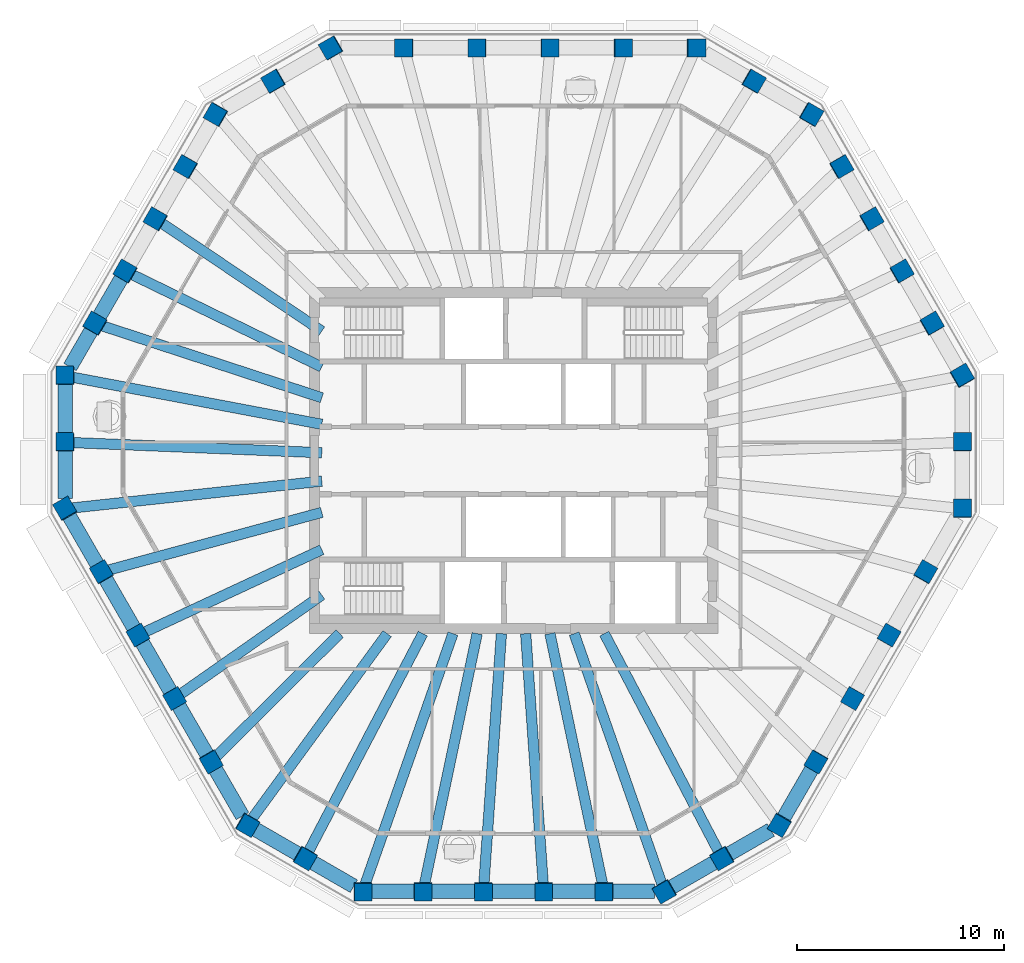
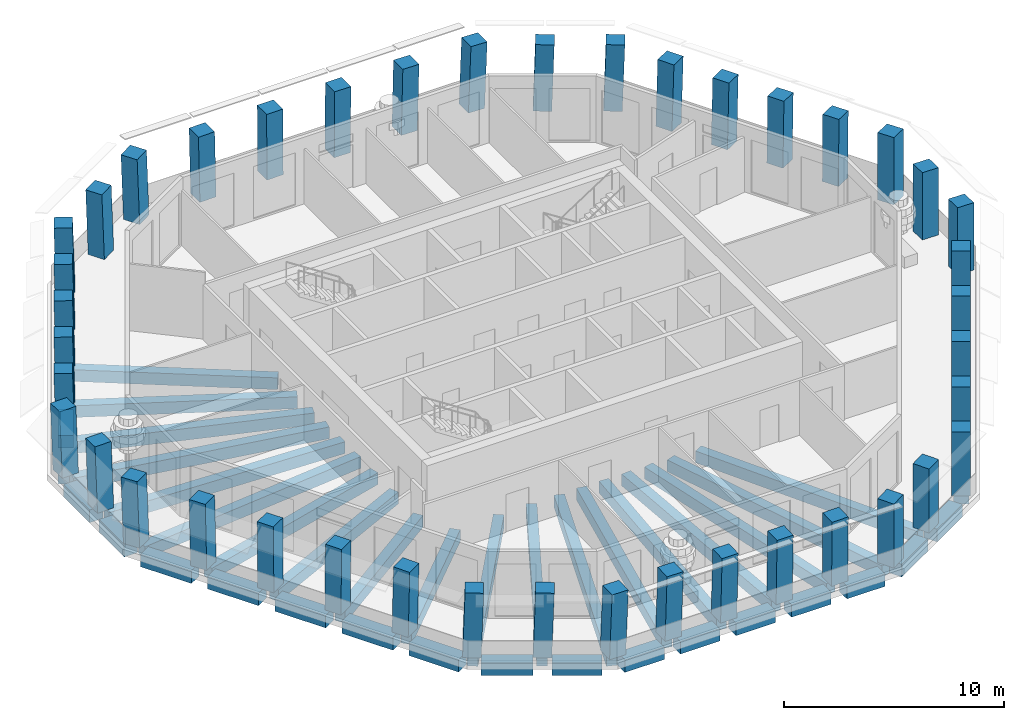
# One storey, part 1 of 11: 42 columns, 38 beams.
"""IFC4 building model written with IfcOpenShell, lengths in metres."""

from ifc_helpers import new_model, si_unit, direction, frame, origin, origin_2d, place, context, subcontext, project, spatial, rectangle, extrude, material, material_profile, profile_set, type_object, element, save


model = new_model("IFC4")

# Units and contexts
model_context = context("Model", 3, precision=1e-05, world=origin(), true_north=direction((0.0, 1.0)))
body_context = subcontext(model_context, "Body", "Model", "MODEL_VIEW")
ifc_project = project(units=[si_unit("LENGTHUNIT", "METRE"), si_unit("AREAUNIT", "SQUARE_METRE"), si_unit("VOLUMEUNIT", "CUBIC_METRE"), si_unit("PLANEANGLEUNIT", "RADIAN"), si_unit("MASSUNIT", "GRAM", prefix="KILO")], contexts=[model_context])

# Site, building, storey
site_placement = place(None, origin())
site = spatial("IfcSite", under=ifc_project, at=site_placement, CompositionType="ELEMENT")
building_placement = place(site_placement, origin())
building = spatial("IfcBuilding", under=site, at=building_placement, Name="Frailejon Research Tower", CompositionType="ELEMENT")
storey_placement = place(building_placement, frame((0.0, 0.0, 336.60009765625)))
storey = spatial("IfcBuildingStorey", under=building, at=storey_placement, Name="L75", CompositionType="ELEMENT", Elevation=336.60009765625)

# Columns
ifc_material_1 = material(Name="Concrete C50/60", Category="concrete")
ifc_material_profile_1 = material_profile(ifc_material_1, rectangle(XDim=0.85009765625, YDim=0.85009765625, at=origin_2d()), Name="Column 850")
ifc_profile_set_1 = profile_set([ifc_material_profile_1], Name="Concrete C50/60")
column_type = type_object("IfcColumnType", Name="Column 850", PredefinedType="COLUMN", material=ifc_profile_set_1)
for number, where, z_axis, x_axis, name in (
    (1, (21.635498046875, -2.326171875, 0.0), (0.018164955404, 0.03143676784, 0.99934066465), (-0.000376312415, 0.999505723656, -0.031435119977), "Column C01"),
    (2, (21.635498046875, 0.8798828125, 0.0), (0.018164955404, 0.03143676784, 0.99934066465), (-0.000376312415, 0.999505723656, -0.031435119977), "Column C02"),
    (3, (21.635498046875, 4.0859375, 0.0), (0.018164955404, 0.03143676784, 0.99934066465), (-0.500243362495, 0.865694824541, -0.018139708999), "Column C03"),
):
    element("IfcColumn", number, at=place(storey_placement, frame(where, z_axis=z_axis, x_axis=x_axis)), inside=storey, type_object=column_type, Name=name, PredefinedType="COLUMN", context=body_context, shape_type="SweptSolid", body=[
        extrude(rectangle(XDim=0.85009765625, YDim=0.85009765625, at=origin_2d()), origin(), (0.0, 0.0, 1.0), 3.642333984375),
    ])
column_1_placement = place(storey_placement, frame((20.1796875, 6.607666015625, 0.0), z_axis=(0.021786848517, 0.025138671366, 0.999446537056), x_axis=(-0.499840745781, 0.866048897927, -0.010887389788)))
element("IfcColumn", 4, at=column_1_placement, inside=storey, type_object=column_type, Name="Column C04", PredefinedType="COLUMN", context=body_context, shape_type="SweptSolid", body=[
    extrude(rectangle(XDim=0.85009765625, YDim=0.85009765625, at=origin_2d()), origin(), (0.0, 0.0, 1.0), 3.641845703125),
])
for number, where, z_axis, x_axis, name in (
    (5, (18.723876953125, 9.129150390625, 0.0), (0.025408167311, 0.018838245421, 0.999499647595), (-0.499703712508, 0.866188822081, -0.003622734722), "Column C05"),
    (6, (17.26806640625, 11.65087890625, 0.0), (0.029028337746, 0.012536487664, 0.999499971028), (-0.499792797654, 0.86613730135, 0.003651660476), "Column C06"),
):
    element("IfcColumn", number, at=place(storey_placement, frame(where, z_axis=z_axis, x_axis=x_axis)), inside=storey, type_object=column_type, Name=name, PredefinedType="COLUMN", context=body_context, shape_type="SweptSolid", body=[
        extrude(rectangle(XDim=0.85009765625, YDim=0.85009765625, at=origin_2d()), origin(), (0.0, 0.0, 1.0), 3.6416015625),
    ])
column_2_placement = place(storey_placement, frame((15.812255859375, 14.17236328125, 0.0), z_axis=(0.032579807254, 0.006301444201, 0.99944927233), x_axis=(-0.500059594281, 0.865923131391, 0.010841249478)))
element("IfcColumn", 7, at=column_2_placement, inside=storey, type_object=column_type, Name="Column C07", PredefinedType="COLUMN", context=body_context, shape_type="SweptSolid", body=[
    extrude(rectangle(XDim=0.85009765625, YDim=0.85009765625, at=origin_2d()), origin(), (0.0, 0.0, 1.0), 3.641845703125),
])
for number, where, z_axis, x_axis, name in (
    (8, (14.3564453125, 16.69384765625, 0.0), (0.036195998623, 0.0, 0.999344710139), (-0.865315719975, 0.500246354177, 0.031341504379), "Column C08"),
    (9, (11.579833984375, 18.297119140625, 0.0), (0.036262940188, 0.0, 0.999342283289), (-0.865313618606, 0.500246354177, 0.03139946795), "Column C09"),
    (10, (8.80322265625, 19.89990234375, 0.0), (0.036262940188, 0.0, 0.999342283289), (-0.999342283289, 0.0, 0.036262940188), "Column C10"),
):
    element("IfcColumn", number, at=place(storey_placement, frame(where, z_axis=z_axis, x_axis=x_axis)), inside=storey, type_object=column_type, Name=name, PredefinedType="COLUMN", context=body_context, shape_type="SweptSolid", body=[
        extrude(rectangle(XDim=0.85009765625, YDim=0.85009765625, at=origin_2d()), origin(), (0.0, 0.0, 1.0), 3.642333984375),
    ])
column_3_placement = place(storey_placement, frame((5.281982421875, 19.89990234375, 0.0), z_axis=(0.021793735912, 0.0, 0.999762488332), x_axis=(-0.999762488332, 0.0, 0.021793735912)))
element("IfcColumn", 11, at=column_3_placement, inside=storey, type_object=column_type, Name="Column C11", PredefinedType="COLUMN", context=body_context, shape_type="SweptSolid", body=[
    extrude(rectangle(XDim=0.85009765625, YDim=0.85009765625, at=origin_2d()), origin(), (0.0, 0.0, 1.0), 3.640869140625),
])
for number, where, z_axis, x_axis, name in (
    (12, (1.7607421875, 19.89990234375, 0.0), (0.007223891772, 0.0, 0.999973907353), (-0.999973907353, 0.0, 0.007223891772), "Column C12"),
    (13, (-1.7607421875, 19.89990234375, 0.0), (-0.007223891772, 0.0, 0.999973907353), (-0.999973907353, 0.0, -0.007223891772), "Column C13"),
):
    element("IfcColumn", number, at=place(storey_placement, frame(where, z_axis=z_axis, x_axis=x_axis)), inside=storey, type_object=column_type, Name=name, PredefinedType="COLUMN", context=body_context, shape_type="SweptSolid", body=[
        extrude(rectangle(XDim=0.85009765625, YDim=0.85009765625, at=origin_2d()), origin(), (0.0, 0.0, 1.0), 3.64990234375),
    ])
column_4_placement = place(storey_placement, frame((-5.281982421875, 19.89990234375, 0.0), z_axis=(-0.021793735912, 0.0, 0.999762488332), x_axis=(-0.999762488332, 0.0, -0.021793735912)))
element("IfcColumn", 14, at=column_4_placement, inside=storey, type_object=column_type, Name="Column C14", PredefinedType="COLUMN", context=body_context, shape_type="SweptSolid", body=[
    extrude(rectangle(XDim=0.85009765625, YDim=0.85009765625, at=origin_2d()), origin(), (0.0, 0.0, 1.0), 3.640869140625),
])
for number, where, z_axis, x_axis, name in (
    (15, (-8.80322265625, 19.89990234375, 0.0), (-0.036262940188, 0.0, 0.999342283289), (-0.865313618606, -0.500246354177, -0.03139946795), "Column C15"),
    (16, (-11.579833984375, 18.297119140625, 0.0), (-0.036262940188, 0.0, 0.999342283289), (-0.865313618606, -0.500246354177, -0.03139946795), "Column C16"),
    (17, (-14.3564453125, 16.69384765625, 0.0), (-0.036195998623, 0.0, 0.999344710139), (-0.499426121886, -0.866167613071, -0.018089080811), "Column C17"),
):
    element("IfcColumn", number, at=place(storey_placement, frame(where, z_axis=z_axis, x_axis=x_axis)), inside=storey, type_object=column_type, Name=name, PredefinedType="COLUMN", context=body_context, shape_type="SweptSolid", body=[
        extrude(rectangle(XDim=0.85009765625, YDim=0.85009765625, at=origin_2d()), origin(), (0.0, 0.0, 1.0), 3.642333984375),
    ])
column_5_placement = place(storey_placement, frame((-15.812255859375, 14.17236328125, 0.0), z_axis=(-0.032579807254, 0.006301444201, 0.99944927233), x_axis=(-0.500059594281, -0.865923131391, -0.010841249478)))
element("IfcColumn", 18, at=column_5_placement, inside=storey, type_object=column_type, Name="Column C18", PredefinedType="COLUMN", context=body_context, shape_type="SweptSolid", body=[
    extrude(rectangle(XDim=0.85009765625, YDim=0.85009765625, at=origin_2d()), origin(), (0.0, 0.0, 1.0), 3.641845703125),
])
for number, where, z_axis, x_axis, name in (
    (19, (-17.26806640625, 11.65087890625, 0.0), (-0.029028337746, 0.012536487664, 0.999499971028), (-0.499792797654, -0.86613730135, -0.003651660476), "Column C19"),
    (20, (-18.723876953125, 9.129150390625, 0.0), (-0.025408167311, 0.018838245421, 0.999499647595), (-0.499703712508, -0.866188822081, 0.003622734722), "Column C20"),
):
    element("IfcColumn", number, at=place(storey_placement, frame(where, z_axis=z_axis, x_axis=x_axis)), inside=storey, type_object=column_type, Name=name, PredefinedType="COLUMN", context=body_context, shape_type="SweptSolid", body=[
        extrude(rectangle(XDim=0.85009765625, YDim=0.85009765625, at=origin_2d()), origin(), (0.0, 0.0, 1.0), 3.6416015625),
    ])
column_6_placement = place(storey_placement, frame((-20.1796875, 6.607666015625, 0.0), z_axis=(-0.021786848517, 0.025138671366, 0.999446537056), x_axis=(-0.499840745781, -0.866048897927, 0.010887389788)))
element("IfcColumn", 21, at=column_6_placement, inside=storey, type_object=column_type, Name="Column C21", PredefinedType="COLUMN", context=body_context, shape_type="SweptSolid", body=[
    extrude(rectangle(XDim=0.85009765625, YDim=0.85009765625, at=origin_2d()), origin(), (0.0, 0.0, 1.0), 3.641845703125),
])
for number, where, z_axis, x_axis, name in (
    (22, (-21.635498046875, 4.0859375, 0.0), (-0.018164955404, 0.03143676784, 0.99934066465), (-0.000376312415, -0.999505723656, 0.031435119977), "Column C22"),
    (23, (-21.635498046875, 0.8798828125, 0.0), (-0.018164955404, 0.03143676784, 0.99934066465), (-0.000376312415, -0.999505723656, 0.031435119977), "Column C23"),
    (24, (-21.635498046875, -2.326171875, 0.0), (-0.018164955404, 0.03143676784, 0.99934066465), (0.499837937326, -0.865357614208, 0.036307519088), "Column C24"),
):
    element("IfcColumn", number, at=place(storey_placement, frame(where, z_axis=z_axis, x_axis=x_axis)), inside=storey, type_object=column_type, Name=name, PredefinedType="COLUMN", context=body_context, shape_type="SweptSolid", body=[
        extrude(rectangle(XDim=0.85009765625, YDim=0.85009765625, at=origin_2d()), origin(), (0.0, 0.0, 1.0), 3.642333984375),
    ])
column_7_placement = place(storey_placement, frame((-19.875, -5.375732421875, 0.0), z_axis=(-0.01086334939, 0.018843217151, 0.999763432422), x_axis=(0.499615563935, -0.865974138834, 0.021750382613)))
element("IfcColumn", 25, at=column_7_placement, inside=storey, type_object=column_type, Name="Column C25", PredefinedType="COLUMN", context=body_context, shape_type="SweptSolid", body=[
    extrude(rectangle(XDim=0.85009765625, YDim=0.85009765625, at=origin_2d()), origin(), (0.0, 0.0, 1.0), 3.640869140625),
])
for number, where, z_axis, x_axis, name in (
    (26, (-18.1142578125, -8.42529296875, 0.0), (-0.003611945175, 0.00628746012, 0.999973710503), (0.497890394796, -0.867209649664, 0.007251089524), "Column C26"),
    (27, (-16.353515625, -11.474853515625, 0.0), (0.003611945175, -0.00628746012, 0.999973710503), (0.497890394796, -0.867209649664, -0.007251089524), "Column C27"),
):
    element("IfcColumn", number, at=place(storey_placement, frame(where, z_axis=z_axis, x_axis=x_axis)), inside=storey, type_object=column_type, Name=name, PredefinedType="COLUMN", context=body_context, shape_type="SweptSolid", body=[
        extrude(rectangle(XDim=0.85009765625, YDim=0.85009765625, at=origin_2d()), origin(), (0.0, 0.0, 1.0), 3.64990234375),
    ])
column_8_placement = place(storey_placement, frame((-14.593017578125, -14.5244140625, 0.0), z_axis=(0.010930399115, -0.018843203382, 0.999762701876), x_axis=(0.501922852191, -0.864638022851, -0.021783936503)))
element("IfcColumn", 28, at=column_8_placement, inside=storey, type_object=column_type, Name="Column C28", PredefinedType="COLUMN", context=body_context, shape_type="SweptSolid", body=[
    extrude(rectangle(XDim=0.85009765625, YDim=0.85009765625, at=origin_2d()), origin(), (0.0, 0.0, 1.0), 3.640869140625),
])
for number, where, z_axis, x_axis, name in (
    (29, (-12.832275390625, -17.573974609375, 0.0), (0.01816499364, -0.031369804516, 0.999342768209), (0.86644191756, -0.498290097032, -0.031390805894), "Column C29"),
    (30, (-10.0556640625, -19.177001953125, 0.0), (0.018097986139, -0.031369842641, 0.999343982756), (0.865941730235, -0.499161332485, -0.031350980667), "Column C30"),
    (31, (-7.279296875, -20.77978515625, 0.0), (0.018164955404, -0.03143676784, 0.99934066465), (0.999834984703, 0.000765393762, -0.018149863249), "Column C31"),
):
    element("IfcColumn", number, at=place(storey_placement, frame(where, z_axis=z_axis, x_axis=x_axis)), inside=storey, type_object=column_type, Name=name, PredefinedType="COLUMN", context=body_context, shape_type="SweptSolid", body=[
        extrude(rectangle(XDim=0.85009765625, YDim=0.85009765625, at=origin_2d()), origin(), (0.0, 0.0, 1.0), 3.642333984375),
    ])
column_9_placement = place(storey_placement, frame((-4.367431640625, -20.77978515625, 0.0), z_axis=(0.010859907128, -0.031440101501, 0.999446638113), x_axis=(0.999940862965, -0.000235344441, -0.010872680686)))
element("IfcColumn", 32, at=column_9_placement, inside=storey, type_object=column_type, Name="Column C32", PredefinedType="COLUMN", context=body_context, shape_type="SweptSolid", body=[
    extrude(rectangle(XDim=0.85009765625, YDim=0.85009765625, at=origin_2d()), origin(), (0.0, 0.0, 1.0), 3.641845703125),
])
for number, where, z_axis, x_axis, name in (
    (33, (-1.455810546875, -20.77978515625, 0.0), (0.003620158804, -0.031441749617, 0.99949902993), (0.999993424429, -9.9492807e-05, -0.003625079284), "Column C33"),
    (34, (1.455810546875, -20.77978515625, 0.0), (-0.003620158804, -0.031441749617, 0.99949902993), (0.999993424429, 9.9492807e-05, 0.003625079284), "Column C34"),
):
    element("IfcColumn", number, at=place(storey_placement, frame(where, z_axis=z_axis, x_axis=x_axis)), inside=storey, type_object=column_type, Name=name, PredefinedType="COLUMN", context=body_context, shape_type="SweptSolid", body=[
        extrude(rectangle(XDim=0.85009765625, YDim=0.85009765625, at=origin_2d()), origin(), (0.0, 0.0, 1.0), 3.6416015625),
    ])
column_10_placement = place(storey_placement, frame((4.367431640625, -20.77978515625, 0.0), z_axis=(-0.010859907128, -0.031440101501, 0.999446638113), x_axis=(0.999940862965, 0.000235344441, 0.010872680686)))
element("IfcColumn", 35, at=column_10_placement, inside=storey, type_object=column_type, Name="Column C35", PredefinedType="COLUMN", context=body_context, shape_type="SweptSolid", body=[
    extrude(rectangle(XDim=0.85009765625, YDim=0.85009765625, at=origin_2d()), origin(), (0.0, 0.0, 1.0), 3.641845703125),
])
for number, where, z_axis, x_axis, name in (
    (36, (7.279296875, -20.77978515625, 0.0), (-0.018164955404, -0.03143676784, 0.99934066465), (0.865979654382, 0.499089874364, 0.031440984467), "Column C36"),
    (37, (10.0556640625, -19.177001953125, 0.0), (-0.018097986139, -0.031369842641, 0.999343982756), (0.865941730235, 0.499161332485, 0.031350980667), "Column C37"),
    (38, (12.832275390625, -17.573974609375, 0.0), (-0.01816499364, -0.031369804516, 0.999342768209), (0.500639342223, 0.864896651297, 0.036249573717), "Column C38"),
):
    element("IfcColumn", number, at=place(storey_placement, frame(where, z_axis=z_axis, x_axis=x_axis)), inside=storey, type_object=column_type, Name=name, PredefinedType="COLUMN", context=body_context, shape_type="SweptSolid", body=[
        extrude(rectangle(XDim=0.85009765625, YDim=0.85009765625, at=origin_2d()), origin(), (0.0, 0.0, 1.0), 3.642333984375),
    ])
column_11_placement = place(storey_placement, frame((14.593017578125, -14.5244140625, 0.0), z_axis=(-0.010930399115, -0.018843203382, 0.999762701876), x_axis=(0.501922852191, 0.864638022851, 0.021783936503)))
element("IfcColumn", 39, at=column_11_placement, inside=storey, type_object=column_type, Name="Column C39", PredefinedType="COLUMN", context=body_context, shape_type="SweptSolid", body=[
    extrude(rectangle(XDim=0.85009765625, YDim=0.85009765625, at=origin_2d()), origin(), (0.0, 0.0, 1.0), 3.640869140625),
])
for number, where, z_axis, x_axis, name in (
    (40, (16.353515625, -11.474853515625, 0.0), (-0.003611945175, -0.00628746012, 0.999973710503), (0.497890394796, 0.867209649664, 0.007251089524), "Column C40"),
    (41, (18.1142578125, -8.42529296875, 0.0), (0.003611945175, 0.00628746012, 0.999973710503), (0.497890394796, 0.867209649664, -0.007251089524), "Column C41"),
):
    element("IfcColumn", number, at=place(storey_placement, frame(where, z_axis=z_axis, x_axis=x_axis)), inside=storey, type_object=column_type, Name=name, PredefinedType="COLUMN", context=body_context, shape_type="SweptSolid", body=[
        extrude(rectangle(XDim=0.85009765625, YDim=0.85009765625, at=origin_2d()), origin(), (0.0, 0.0, 1.0), 3.64990234375),
    ])
column_12_placement = place(storey_placement, frame((19.875, -5.375732421875, 0.0), z_axis=(0.01086334939, 0.018843217151, 0.999763432422), x_axis=(0.499615563935, 0.865974138834, -0.021750382613)))
element("IfcColumn", 42, at=column_12_placement, inside=storey, type_object=column_type, Name="Column C42", PredefinedType="COLUMN", context=body_context, shape_type="SweptSolid", body=[
    extrude(rectangle(XDim=0.85009765625, YDim=0.85009765625, at=origin_2d()), origin(), (0.0, 0.0, 1.0), 3.640869140625),
])

# Beams
ifc_material_2 = material(Name="Concrete C60/75", Category="concrete")
ifc_material_profile_2 = material_profile(ifc_material_2, rectangle(XDim=0.5, YDim=0.64990234375, at=origin_2d()), Name="Girder 500x650")
ifc_profile_set_2 = profile_set([ifc_material_profile_2], Name="Concrete C60/75")
beam_type_1 = type_object("IfcBeamType", Name="Girder 500x650", PredefinedType="BEAM", material=ifc_profile_set_2)
beam_1_placement = place(storey_placement, frame((-17.039306640625, 11.496337890625, -0.625), z_axis=(0.828967634301, -0.559296577212, 0.0), x_axis=(0.559296577212, 0.828967634301, 0.0)))
element("IfcBeam", 43, at=beam_1_placement, inside=storey, type_object=beam_type_1, Name="Girder 500x650", PredefinedType="BEAM", context=body_context, shape_type="SweptSolid", body=[
    extrude(rectangle(XDim=0.5, YDim=0.64990234375, at=origin_2d()), origin(), (0.0, 0.0, 1.0), 9.396484375),
])
beam_2_placement = place(storey_placement, frame((-18.475830078125, 9.00830078125, -0.625), z_axis=(0.898849583865, -0.438257259592, 0.0), x_axis=(0.438257259592, 0.898849583865, 0.0)))
element("IfcBeam", 44, at=beam_2_placement, inside=storey, type_object=beam_type_1, Name="Girder 500x650", PredefinedType="BEAM", context=body_context, shape_type="SweptSolid", body=[
    extrude(rectangle(XDim=0.5, YDim=0.64990234375, at=origin_2d()), origin(), (0.0, 0.0, 1.0), 10.26416015625),
])
beam_3_placement = place(storey_placement, frame((-19.909423828125, 6.51904296875, -0.625), z_axis=(0.950352429093, -0.311175610415, 0.0), x_axis=(0.311175610415, 0.950352429093, 0.0)))
element("IfcBeam", 45, at=beam_3_placement, inside=storey, type_object=beam_type_1, Name="Girder 500x650", PredefinedType="BEAM", context=body_context, shape_type="SweptSolid", body=[
    extrude(rectangle(XDim=0.5, YDim=0.64990234375, at=origin_2d()), origin(), (0.0, 0.0, 1.0), 11.21630859375),
])
beam_4_placement = place(storey_placement, frame((-21.35791015625, 4.03369140625, -0.625), z_axis=(0.982626831834, -0.185592320317, 0.0), x_axis=(0.185592320317, 0.982626831834, 0.0)))
element("IfcBeam", 46, at=beam_4_placement, inside=storey, type_object=beam_type_1, Name="Girder 500x650", PredefinedType="BEAM", context=body_context, shape_type="SweptSolid", body=[
    extrude(rectangle(XDim=0.5, YDim=0.64990234375, at=origin_2d()), origin(), (0.0, 0.0, 1.0), 12.322021484375),
])
beam_5_placement = place(storey_placement, frame((-21.3603515625, 0.86865234375, -0.625), z_axis=(0.999174322855, -0.040628469664, 0.0), x_axis=(0.040628469664, 0.999174322855, 0.0)))
element("IfcBeam", 47, at=beam_5_placement, inside=storey, type_object=beam_type_1, Name="Girder 500x650", PredefinedType="BEAM", context=body_context, shape_type="SweptSolid", body=[
    extrude(rectangle(XDim=0.5, YDim=0.64990234375, at=origin_2d()), origin(), (0.0, 0.0, 1.0), 12.120361328125),
])
beam_6_placement = place(storey_placement, frame((-21.322509765625, -2.29248046875, -0.625), z_axis=(0.994268843724, 0.106908682523, 0.0), x_axis=(-0.106908682523, 0.994268843724, 0.0)))
element("IfcBeam", 48, at=beam_6_placement, inside=storey, type_object=beam_type_1, Name="Girder 500x650", PredefinedType="BEAM", context=body_context, shape_type="SweptSolid", body=[
    extrude(rectangle(XDim=0.5, YDim=0.64990234375, at=origin_2d()), origin(), (0.0, 0.0, 1.0), 12.14208984375),
])
beam_7_placement = place(storey_placement, frame((-19.59521484375, -5.300048828125, -0.625), z_axis=(0.965314216478, 0.261090910347, 0.0), x_axis=(-0.261090910347, 0.965314216478, 0.0)))
element("IfcBeam", 49, at=beam_7_placement, inside=storey, type_object=beam_type_1, Name="Girder 500x650", PredefinedType="BEAM", context=body_context, shape_type="SweptSolid", body=[
    extrude(rectangle(XDim=0.5, YDim=0.64990234375, at=origin_2d()), origin(), (0.0, 0.0, 1.0), 10.717041015625),
])
beam_8_placement = place(storey_placement, frame((-17.86328125, -8.30859375, -0.625), z_axis=(0.90671425525, 0.421745491175, 0.0), x_axis=(-0.421745491175, 0.90671425525, 0.0)))
element("IfcBeam", 50, at=beam_8_placement, inside=storey, type_object=beam_type_1, Name="Girder 500x650", PredefinedType="BEAM", context=body_context, shape_type="SweptSolid", body=[
    extrude(rectangle(XDim=0.5, YDim=0.64990234375, at=origin_2d()), origin(), (0.0, 0.0, 1.0), 9.49951171875),
])
beam_9_placement = place(storey_placement, frame((-16.127197265625, -11.31591796875, -0.625), z_axis=(0.8185938474, 0.574372799668, 0.0), x_axis=(-0.574372799668, 0.8185938474, 0.0)))
element("IfcBeam", 51, at=beam_9_placement, inside=storey, type_object=beam_type_1, Name="Girder 500x650", PredefinedType="BEAM", context=body_context, shape_type="SweptSolid", body=[
    extrude(rectangle(XDim=0.5, YDim=0.64990234375, at=origin_2d()), origin(), (0.0, 0.0, 1.0), 8.401123046875),
])
beam_10_placement = place(storey_placement, frame((-14.3876953125, -14.31982421875, -0.625), z_axis=(0.70879243691, 0.705417097453, 0.0), x_axis=(-0.705417097453, 0.70879243691, 0.0)))
element("IfcBeam", 52, at=beam_10_placement, inside=storey, type_object=beam_type_1, Name="Girder 500x650", PredefinedType="BEAM", context=body_context, shape_type="SweptSolid", body=[
    extrude(rectangle(XDim=0.5, YDim=0.64990234375, at=origin_2d()), origin(), (0.0, 0.0, 1.0), 8.462646484375),
])
beam_11_placement = place(storey_placement, frame((-12.668701171875, -17.349853515625, -0.625), z_axis=(0.589711687135, 0.807613847118, 0.0), x_axis=(-0.807613847118, 0.589711687135, 0.0)))
element("IfcBeam", 53, at=beam_11_placement, inside=storey, type_object=beam_type_1, Name="Girder 500x650", PredefinedType="BEAM", context=body_context, shape_type="SweptSolid", body=[
    extrude(rectangle(XDim=0.5, YDim=0.64990234375, at=origin_2d()), origin(), (0.0, 0.0, 1.0), 11.1435546875),
])
beam_12_placement = place(storey_placement, frame((-9.927734375, -18.93310546875, -0.625), z_axis=(0.464390190776, 0.885630707864, 0.0), x_axis=(-0.885630707864, 0.464390190776, 0.0)))
element("IfcBeam", 54, at=beam_12_placement, inside=storey, type_object=beam_type_1, Name="Girder 500x650", PredefinedType="BEAM", context=body_context, shape_type="SweptSolid", body=[
    extrude(rectangle(XDim=0.5, YDim=0.64990234375, at=origin_2d()), origin(), (0.0, 0.0, 1.0), 11.94970703125),
])
beam_13_placement = place(storey_placement, frame((-7.179931640625, -20.49658203125, -0.625), z_axis=(0.3306005233, 0.943770784669, 0.0), x_axis=(-0.943770784669, 0.3306005233, 0.0)))
element("IfcBeam", 55, at=beam_13_placement, inside=storey, type_object=beam_type_1, Name="Girder 500x650", PredefinedType="BEAM", context=body_context, shape_type="SweptSolid", body=[
    extrude(rectangle(XDim=0.5, YDim=0.64990234375, at=origin_2d()), origin(), (0.0, 0.0, 1.0), 12.8701171875),
])
beam_14_placement = place(storey_placement, frame((-4.30908203125, -20.501708984375, -0.625), z_axis=(0.205699327621, 0.978615239313, 0.0), x_axis=(-0.978615239313, 0.205699327621, 0.0)))
element("IfcBeam", 56, at=beam_14_placement, inside=storey, type_object=beam_type_1, Name="Girder 500x650", PredefinedType="BEAM", context=body_context, shape_type="SweptSolid", body=[
    extrude(rectangle(XDim=0.5, YDim=0.64990234375, at=origin_2d()), origin(), (0.0, 0.0, 1.0), 12.417236328125),
])
for number, where, z_axis, x_axis, name in (
    (57, (-1.4365234375, -20.50439453125, -0.625), (0.069891340205, 0.997554610317, 0.0), (-0.997554610317, 0.069891340205, 0.0), "Girder 500x650"),
    (58, (1.4365234375, -20.50439453125, -0.625), (-0.069891340205, 0.997554610317, 0.0), (-0.997554610317, -0.069891340205, 0.0), "Girder 500x650"),
):
    element("IfcBeam", number, at=place(storey_placement, frame(where, z_axis=z_axis, x_axis=x_axis)), inside=storey, type_object=beam_type_1, Name=name, PredefinedType="BEAM", context=body_context, shape_type="SweptSolid", body=[
        extrude(rectangle(XDim=0.5, YDim=0.64990234375, at=origin_2d()), origin(), (0.0, 0.0, 1.0), 12.18408203125),
    ])
beam_15_placement = place(storey_placement, frame((4.30908203125, -20.501708984375, -0.625), z_axis=(-0.205699327621, 0.978615239313, 0.0), x_axis=(-0.978615239313, -0.205699327621, 0.0)))
element("IfcBeam", 59, at=beam_15_placement, inside=storey, type_object=beam_type_1, Name="Girder 500x650", PredefinedType="BEAM", context=body_context, shape_type="SweptSolid", body=[
    extrude(rectangle(XDim=0.5, YDim=0.64990234375, at=origin_2d()), origin(), (0.0, 0.0, 1.0), 12.417236328125),
])
beam_16_placement = place(storey_placement, frame((7.185791015625, -20.51318359375, -0.625), z_axis=(-0.330603556607, 0.943769722103, 0.0), x_axis=(-0.943769722103, -0.330603556607, 0.0)))
element("IfcBeam", 60, at=beam_16_placement, inside=storey, type_object=beam_type_1, Name="Girder 500x650", PredefinedType="BEAM", context=body_context, shape_type="SweptSolid", body=[
    extrude(rectangle(XDim=0.5, YDim=0.64990234375, at=origin_2d()), origin(), (0.0, 0.0, 1.0), 12.8876953125),
])
beam_17_placement = place(storey_placement, frame((9.927734375, -18.93310546875, -0.625), z_axis=(-0.464390190776, 0.885630707864, 0.0), x_axis=(-0.885630707864, -0.464390190776, 0.0)))
element("IfcBeam", 61, at=beam_17_placement, inside=storey, type_object=beam_type_1, Name="Girder 500x650", PredefinedType="BEAM", context=body_context, shape_type="SweptSolid", body=[
    extrude(rectangle(XDim=0.5, YDim=0.64990234375, at=origin_2d()), origin(), (0.0, 0.0, 1.0), 11.94970703125),
])
ifc_material_3 = material(Name="Concrete C60/75", Category="concrete")
ifc_material_profile_3 = material_profile(ifc_material_3, rectangle(XDim=0.699951171875, YDim=0.699951171875, at=origin_2d()), Name="Spandrel 700x700")
ifc_profile_set_3 = profile_set([ifc_material_profile_3], Name="Concrete C60/75")
beam_type_2 = type_object("IfcBeamType", Name="Spandrel 700x700", PredefinedType="BEAM", material=ifc_profile_set_3)
beam_18_placement = place(storey_placement, frame((-18.936279296875, 8.760986328125, -0.7001953125), z_axis=(-0.500074377092, -0.865982457891, 0.0), x_axis=(0.865982457891, -0.500074377092, 0.0)))
element("IfcBeam", 62, at=beam_18_placement, inside=storey, type_object=beam_type_2, Name="Spandrel 700x700", PredefinedType="BEAM", context=body_context, shape_type="SweptSolid", body=[
    extrude(rectangle(XDim=0.699951171875, YDim=0.699951171875, at=origin_2d()), origin(), (0.0, 0.0, 1.0), 2.061767578125),
])
beam_19_placement = place(storey_placement, frame((-20.39208984375, 6.239501953125, -0.7001953125), z_axis=(-0.500033033937, -0.866006330792, 0.0), x_axis=(0.866006330792, -0.500033033937, 0.0)))
element("IfcBeam", 63, at=beam_19_placement, inside=storey, type_object=beam_type_2, Name="Spandrel 700x700", PredefinedType="BEAM", context=body_context, shape_type="SweptSolid", body=[
    extrude(rectangle(XDim=0.699951171875, YDim=0.699951171875, at=origin_2d()), origin(), (0.0, 0.0, 1.0), 1.995849609375),
])
beam_20_placement = place(storey_placement, frame((-21.635498046875, 3.660888671875, -0.7001953125), z_axis=(0.0, -1.0, 0.0), x_axis=(1.0, 0.0, 0.0)))
element("IfcBeam", 64, at=beam_20_placement, inside=storey, type_object=beam_type_2, Name="Spandrel 700x700", PredefinedType="BEAM", context=body_context, shape_type="SweptSolid", body=[
    extrude(rectangle(XDim=0.699951171875, YDim=0.699951171875, at=origin_2d()), origin(), (0.0, 0.0, 1.0), 2.35595703125),
])
beam_21_placement = place(storey_placement, frame((-21.635498046875, 0.454833984375, -0.7001953125), z_axis=(0.0, -1.0, 0.0), x_axis=(1.0, 0.0, 0.0)))
element("IfcBeam", 65, at=beam_21_placement, inside=storey, type_object=beam_type_2, Name="Spandrel 700x700", PredefinedType="BEAM", context=body_context, shape_type="SweptSolid", body=[
    extrude(rectangle(XDim=0.699951171875, YDim=0.699951171875, at=origin_2d()), origin(), (0.0, 0.0, 1.0), 2.290283203125),
])
beam_22_placement = place(storey_placement, frame((-21.423095703125, -2.694091796875, -0.7001953125), z_axis=(0.500001977421, -0.866024262117, 0.0), x_axis=(0.866024262117, 0.500001977421, 0.0)))
element("IfcBeam", 66, at=beam_22_placement, inside=storey, type_object=beam_type_2, Name="Spandrel 700x700", PredefinedType="BEAM", context=body_context, shape_type="SweptSolid", body=[
    extrude(rectangle(XDim=0.699951171875, YDim=0.699951171875, at=origin_2d()), origin(), (0.0, 0.0, 1.0), 2.67138671875),
])
for number, where, z_axis, x_axis, name in (
    (67, (-19.662353515625, -5.743896484375, -0.7001953125), (0.500041553743, -0.86600141139, 0.0), (0.86600141139, 0.500041553743, 0.0), "Spandrel 700x700"),
    (68, (-17.901611328125, -8.793212890625, -0.7001953125), (0.499933429404, -0.866063834924, 0.0), (0.866063834924, 0.499933429404, 0.0), "Spandrel 700x700"),
    (69, (-16.14111328125, -11.843017578125, -0.7001953125), (0.500041553743, -0.86600141139, 0.0), (0.86600141139, 0.500041553743, 0.0), "Spandrel 700x700"),
):
    element("IfcBeam", number, at=place(storey_placement, frame(where, z_axis=z_axis, x_axis=x_axis)), inside=storey, type_object=beam_type_2, Name=name, PredefinedType="BEAM", context=body_context, shape_type="SweptSolid", body=[
        extrude(rectangle(XDim=0.699951171875, YDim=0.699951171875, at=origin_2d()), origin(), (0.0, 0.0, 1.0), 2.671142578125),
    ])
beam_23_placement = place(storey_placement, frame((-14.38037109375, -14.892333984375, -0.7001953125), z_axis=(0.499968479581, -0.866043601342, 0.0), x_axis=(0.866043601342, 0.499968479581, 0.0)))
element("IfcBeam", 70, at=beam_23_placement, inside=storey, type_object=beam_type_2, Name="Spandrel 700x700", PredefinedType="BEAM", context=body_context, shape_type="SweptSolid", body=[
    extrude(rectangle(XDim=0.699951171875, YDim=0.699951171875, at=origin_2d()), origin(), (0.0, 0.0, 1.0), 2.605712890625),
])
beam_24_placement = place(storey_placement, frame((-12.464111328125, -17.786376953125, -0.7001953125), z_axis=(0.866021643438, -0.500006513054, 0.0), x_axis=(0.500006513054, 0.866021643438, 0.0)))
element("IfcBeam", 71, at=beam_24_placement, inside=storey, type_object=beam_type_2, Name="Spandrel 700x700", PredefinedType="BEAM", context=body_context, shape_type="SweptSolid", body=[
    extrude(rectangle(XDim=0.699951171875, YDim=0.699951171875, at=origin_2d()), origin(), (0.0, 0.0, 1.0), 2.35595703125),
])
beam_25_placement = place(storey_placement, frame((-9.6875, -19.389404296875, -0.7001953125), z_axis=(0.866043571379, -0.499968531483, 0.0), x_axis=(0.499968531483, 0.866043571379, 0.0)))
element("IfcBeam", 72, at=beam_25_placement, inside=storey, type_object=beam_type_2, Name="Spandrel 700x700", PredefinedType="BEAM", context=body_context, shape_type="SweptSolid", body=[
    extrude(rectangle(XDim=0.699951171875, YDim=0.699951171875, at=origin_2d()), origin(), (0.0, 0.0, 1.0), 2.290283203125),
])
beam_26_placement = place(storey_placement, frame((-6.854248046875, -20.77978515625, -0.7001953125), z_axis=(1.0, 0.0, 0.0), x_axis=(0.0, 1.0, 0.0)))
element("IfcBeam", 73, at=beam_26_placement, inside=storey, type_object=beam_type_2, Name="Spandrel 700x700", PredefinedType="BEAM", context=body_context, shape_type="SweptSolid", body=[
    extrude(rectangle(XDim=0.699951171875, YDim=0.699951171875, at=origin_2d()), origin(), (0.0, 0.0, 1.0), 2.061767578125),
])
for number, where, z_axis, x_axis, name in (
    (74, (-3.9423828125, -20.77978515625, -0.7001953125), (1.0, 0.0, 0.0), (0.0, 1.0, 0.0), "Spandrel 700x700"),
    (75, (-1.03076171875, -20.77978515625, -0.7001953125), (1.0, 0.0, 0.0), (0.0, 1.0, 0.0), "Spandrel 700x700"),
    (76, (1.880859375, -20.77978515625, -0.7001953125), (1.0, 0.0, 0.0), (0.0, 1.0, 0.0), "Spandrel 700x700"),
):
    element("IfcBeam", number, at=place(storey_placement, frame(where, z_axis=z_axis, x_axis=x_axis)), inside=storey, type_object=beam_type_2, Name=name, PredefinedType="BEAM", context=body_context, shape_type="SweptSolid", body=[
        extrude(rectangle(XDim=0.699951171875, YDim=0.699951171875, at=origin_2d()), origin(), (0.0, 0.0, 1.0), 2.0615234375),
    ])
beam_27_placement = place(storey_placement, frame((4.79248046875, -20.77978515625, -0.7001953125), z_axis=(1.0, 0.0, 0.0), x_axis=(0.0, 1.0, 0.0)))
element("IfcBeam", 77, at=beam_27_placement, inside=storey, type_object=beam_type_2, Name="Spandrel 700x700", PredefinedType="BEAM", context=body_context, shape_type="SweptSolid", body=[
    extrude(rectangle(XDim=0.699951171875, YDim=0.699951171875, at=origin_2d()), origin(), (0.0, 0.0, 1.0), 1.99609375),
])
beam_28_placement = place(storey_placement, frame((7.647216796875, -20.5673828125, -0.7001953125), z_axis=(0.866021643438, 0.500006513054, 0.0), x_axis=(-0.500006513054, 0.866021643438, 0.0)))
element("IfcBeam", 78, at=beam_28_placement, inside=storey, type_object=beam_type_2, Name="Spandrel 700x700", PredefinedType="BEAM", context=body_context, shape_type="SweptSolid", body=[
    extrude(rectangle(XDim=0.699951171875, YDim=0.699951171875, at=origin_2d()), origin(), (0.0, 0.0, 1.0), 2.35595703125),
])
beam_29_placement = place(storey_placement, frame((10.423828125, -18.96435546875, -0.7001953125), z_axis=(0.866043571379, 0.499968531483, 0.0), x_axis=(-0.499968531483, 0.866043571379, 0.0)))
element("IfcBeam", 79, at=beam_29_placement, inside=storey, type_object=beam_type_2, Name="Spandrel 700x700", PredefinedType="BEAM", context=body_context, shape_type="SweptSolid", body=[
    extrude(rectangle(XDim=0.699951171875, YDim=0.699951171875, at=origin_2d()), origin(), (0.0, 0.0, 1.0), 2.290283203125),
])
beam_30_placement = place(storey_placement, frame((13.044921875, -17.205810546875, -0.7001953125), z_axis=(0.499933429404, 0.866063834924, 0.0), x_axis=(-0.866063834924, 0.499933429404, 0.0)))
element("IfcBeam", 80, at=beam_30_placement, inside=storey, type_object=beam_type_2, Name="Spandrel 700x700", PredefinedType="BEAM", context=body_context, shape_type="SweptSolid", body=[
    extrude(rectangle(XDim=0.699951171875, YDim=0.699951171875, at=origin_2d()), origin(), (0.0, 0.0, 1.0), 2.671142578125),
])

save(model, "model.ifc")
